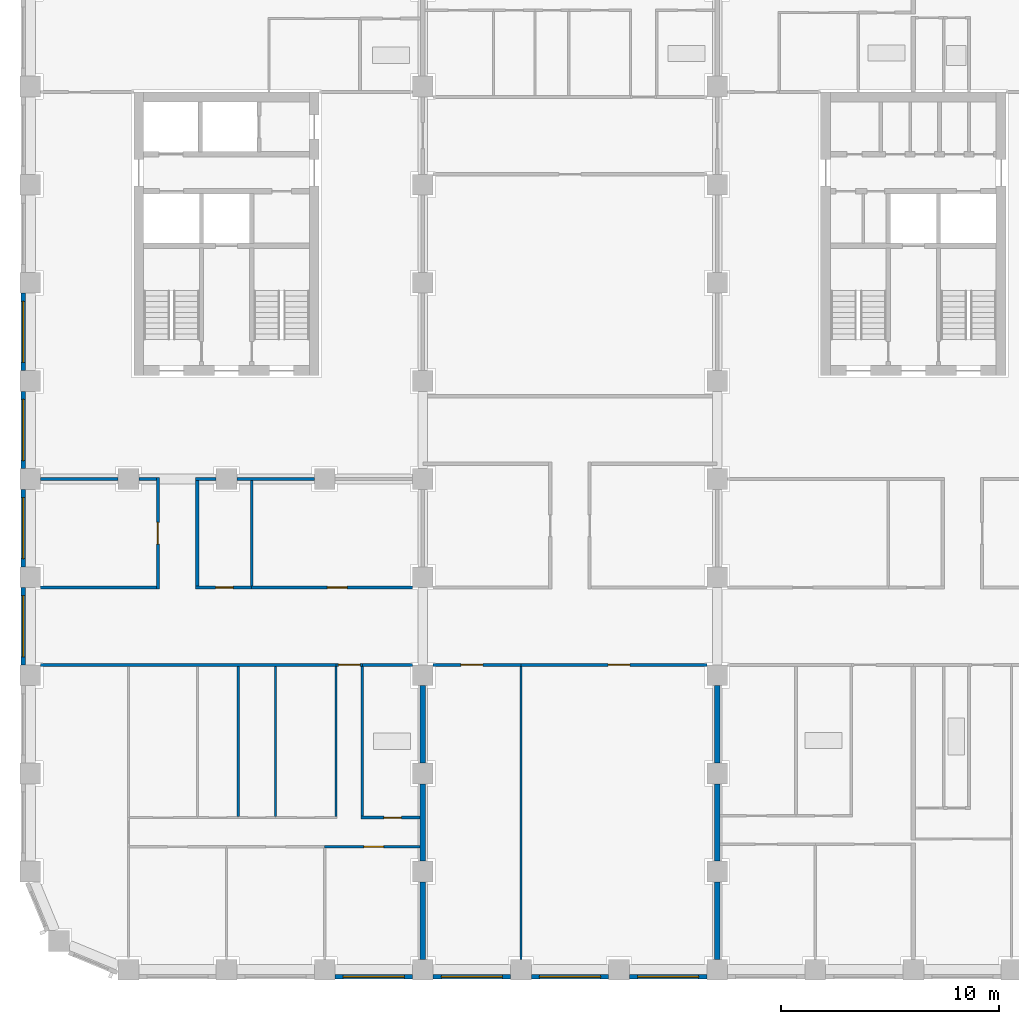
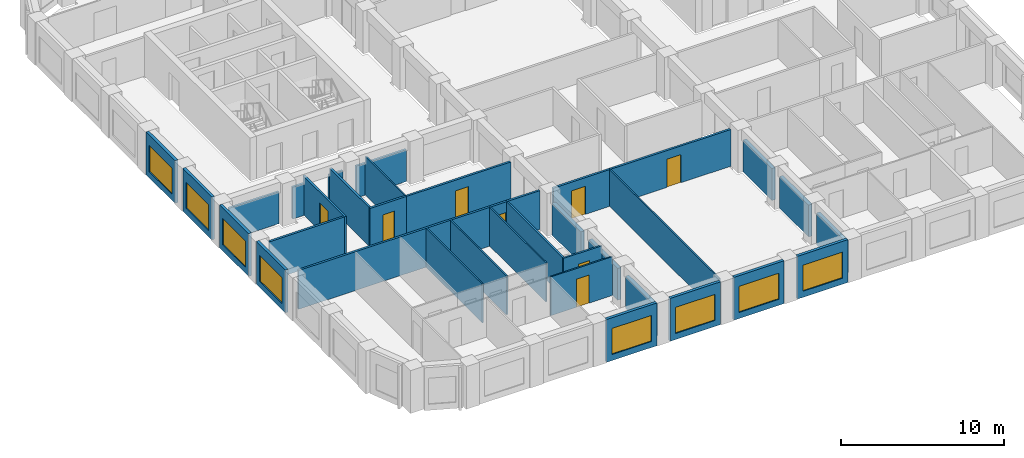
# One storey, part 3 of 13: 36 walls, 8 doors, 8 windows, 16 openings.
"""IFC4 building model written with IfcOpenShell, lengths in metres."""

from ifc_helpers import new_model, si_unit, direction, frame, frame_2d, origin, place, context, subcontext, project, spatial, rectangle, extrude, material, layer, layer_set, type_object, element, fill, save


model = new_model("IFC4")

# Units and contexts
model_context = context("Model", 3, precision=1e-05, world=origin(), true_north=direction((0.0, 1.0)))
body_context = subcontext(model_context, "Body", "Model", "MODEL_VIEW")
ifc_project = project(units=[si_unit("LENGTHUNIT", "METRE"), si_unit("AREAUNIT", "SQUARE_METRE"), si_unit("VOLUMEUNIT", "CUBIC_METRE"), si_unit("PLANEANGLEUNIT", "RADIAN"), si_unit("MASSUNIT", "GRAM", prefix="KILO")], contexts=[model_context])

# Site, building, storey
site_placement = place(None, origin())
site = spatial("IfcSite", under=ifc_project, at=site_placement, CompositionType="ELEMENT")
building_placement = place(site_placement, origin())
building = spatial("IfcBuilding", under=site, at=building_placement, Name="Girih Gate Residences", CompositionType="ELEMENT")
storey_placement = place(building_placement, frame((0.0, 0.0, 130.199951171875)))
storey = spatial("IfcBuildingStorey", under=building, at=storey_placement, Name="L36", CompositionType="ELEMENT", Elevation=130.199951171875)

# Walls
ifc_material_1 = material(Name="Gypsum board on steel studs", Category="steel")
ifc_layer_1 = layer(ifc_material_1, 0.25)
ifc_layer_set_1 = layer_set([ifc_layer_1], Name="Acoustic separating wall 250 mm")
wall_type_1 = type_object("IfcWallType", Name="Acoustic separating wall 250 mm", PredefinedType="PARTITIONING", material=ifc_layer_set_1)
for number, where, z_axis, x_axis, name in (
    (1, (18.0, 9.47509765625, 0.0), (0.0, 0.0, 1.0), (0.0, 1.0, 0.0), "L36 partition"),
    (2, (18.0, 4.97509765625, 0.0), (0.0, 0.0, 1.0), (0.0, 1.0, 0.0), "L36 partition"),
    (3, (18.0, 0.47509765625, 0.0), (0.0, 0.0, 1.0), (0.0, 1.0, 0.0), "L36 partition"),
    (4, (31.5, 9.47509765625, 0.0), (0.0, 0.0, 1.0), (0.0, 1.0, 0.0), "L36 partition"),
    (5, (31.5, 0.47509765625, 0.0), (0.0, 0.0, 1.0), (0.0, 1.0, 0.0), "L36 partition"),
    (6, (31.5, 4.97509765625, 0.0), (0.0, 0.0, 1.0), (0.0, 1.0, 0.0), "L36 partition"),
):
    element("IfcWall", number, at=place(storey_placement, frame(where, z_axis=z_axis, x_axis=x_axis)), inside=storey, type_object=wall_type_1, Name=name, PredefinedType="PARTITIONING", context=body_context, shape_type="SweptSolid", body=[
        extrude(rectangle(XDim=3.5498046875, YDim=0.25, at=frame_2d((1.77490234375, 0.0))), origin(), (0.0, 0.0, 1.0), 2.380126953125),
    ])
ifc_layer_2 = layer(ifc_material_1, 0.14990234375)
ifc_layer_set_2 = layer_set([ifc_layer_2], Name="Compartment wall 150 mm")
wall_type_2 = type_object("IfcWallType", Name="Compartment wall 150 mm", PredefinedType="PARTITIONING", material=ifc_layer_set_2)
wall_1_placement = place(storey_placement, frame((15.22509765625, 13.97509765625, 0.0), z_axis=(0.0, 0.0, 1.0), x_axis=(1.0, 0.0, 0.0)))
element("IfcWall", 7, at=wall_1_placement, inside=storey, type_object=wall_type_2, Name="L36 partition", PredefinedType="PARTITIONING", context=body_context, shape_type="SweptSolid", body=[
    extrude(rectangle(XDim=2.2998046875, YDim=0.14990234375, at=frame_2d((1.14990234375, 0.0))), origin(), (0.0, 0.0, 1.0), 2.900146484375),
])

# Wall, opening, door
wall_2_placement = place(storey_placement, frame((15.22509765625, 13.97509765625, 0.0), z_axis=(0.0, 0.0, 1.0), x_axis=(-1.0, 0.0, 0.0)))
wall_2 = element("IfcWall", 8, at=wall_2_placement, inside=storey, type_object=wall_type_2, Name="L36 partition", PredefinedType="PARTITIONING", context=body_context, shape_type="SweptSolid", body=[
    extrude(rectangle(XDim=1.2001953125, YDim=0.14990234375, at=frame_2d((0.60009765625, 0.0))), origin(), (0.0, 0.0, 1.0), 2.900146484375),
])
opening_1_placement = place(wall_2_placement, frame((0.10009765625, 0.0, 0.0)))
opening_1 = element("IfcOpeningElement", 9, at=opening_1_placement, cuts=wall_2, Name="Opening A36-010", PredefinedType="OPENING", context=body_context, shape_type="SweptSolid", body=[
    extrude(rectangle(XDim=1.0, YDim=2.10009765625, at=frame_2d((0.5, 1.050048828125))), frame((0.0, 0.0849609375, 0.0), z_axis=(0.0, -1.0, 0.0), x_axis=(1.0, 0.0, 0.0)), (0.0, 0.0, 1.0), 0.169921875),
])
ifc_material_2 = material(Name="Timber, fire-rated core", Category="wood")
door_type_1 = type_object("IfcDoorType", Name="Flat entrance door 1000x2100 FD30S", OperationType="NOTDEFINED", PredefinedType="DOOR", material=ifc_material_2)
door_1_placement = place(opening_1_placement, origin())
door_1 = element("IfcDoor", 10, at=door_1_placement, inside=storey, type_object=door_type_1, Name="Door A36-010", OperationType="SINGLE_SWING_RIGHT", OverallHeight=2.10009765625, OverallWidth=1.0, PredefinedType="DOOR", context=body_context, shape_type="SweptSolid", body=[
    extrude(rectangle(XDim=1.0, YDim=2.10009765625, at=frame_2d((0.5, 1.050048828125))), frame((0.0, 0.02490234375, 0.0), z_axis=(0.0, -1.0, 0.0), x_axis=(1.0, 0.0, 0.0)), (0.0, 0.0, 1.0), 0.050048828125),
])
fill(opening_1, door_1)

# Wall
wall_3_placement = place(storey_placement, frame((0.47509765625, 13.97509765625, 0.0), z_axis=(0.0, 0.0, 1.0), x_axis=(1.0, 0.0, 0.0)))
element("IfcWall", 11, at=wall_3_placement, inside=storey, type_object=wall_type_2, Name="L36 partition", PredefinedType="PARTITIONING", context=body_context, shape_type="SweptSolid", body=[
    extrude(rectangle(XDim=13.5498046875, YDim=0.14990234375, at=frame_2d((6.77490234375, 0.0))), origin(), (0.0, 0.0, 1.0), 2.900146484375),
])

# Wall, opening, door
wall_4_placement = place(storey_placement, frame((22.5, 13.97509765625, 0.0), z_axis=(0.0, 0.0, 1.0), x_axis=(-1.0, 0.0, 0.0)))
wall_4 = element("IfcWall", 12, at=wall_4_placement, inside=storey, type_object=wall_type_2, Name="L36 partition", PredefinedType="PARTITIONING", context=body_context, shape_type="SweptSolid", body=[
    extrude(rectangle(XDim=4.02490234375, YDim=0.14990234375, at=frame_2d((2.012451171875, 0.0))), origin(), (0.0, 0.0, 1.0), 2.75),
])
opening_2_placement = place(wall_4_placement, frame((1.75, 0.0, 0.0)))
opening_2 = element("IfcOpeningElement", 13, at=opening_2_placement, cuts=wall_4, Name="Opening A36-049", PredefinedType="OPENING", context=body_context, shape_type="SweptSolid", body=[
    extrude(rectangle(XDim=1.0, YDim=2.10009765625, at=frame_2d((0.5, 1.050048828125))), frame((0.0, 0.0849609375, 0.0), z_axis=(0.0, -1.0, 0.0), x_axis=(1.0, 0.0, 0.0)), (0.0, 0.0, 1.0), 0.169921875),
])
door_type_2 = type_object("IfcDoorType", Name="Amenity room door 1000x2100 FD30S", OperationType="NOTDEFINED", PredefinedType="DOOR", material=ifc_material_2)
door_2_placement = place(opening_2_placement, origin())
door_2 = element("IfcDoor", 14, at=door_2_placement, inside=storey, type_object=door_type_2, Name="Door A36-049", OperationType="SINGLE_SWING_RIGHT", OverallHeight=2.10009765625, OverallWidth=1.0, PredefinedType="DOOR", context=body_context, shape_type="SweptSolid", body=[
    extrude(rectangle(XDim=1.0, YDim=2.10009765625, at=frame_2d((0.5, 1.050048828125))), frame((0.0, 0.02490234375, 0.0), z_axis=(0.0, -1.0, 0.0), x_axis=(1.0, 0.0, 0.0)), (0.0, 0.0, 1.0), 0.050048828125),
])
fill(opening_2, door_2)

wall_5_placement = place(storey_placement, frame((31.02490234375, 13.97509765625, 0.0), z_axis=(0.0, 0.0, 1.0), x_axis=(-1.0, 0.0, 0.0)))
wall_5 = element("IfcWall", 15, at=wall_5_placement, inside=storey, type_object=wall_type_2, Name="L36 partition", PredefinedType="PARTITIONING", context=body_context, shape_type="SweptSolid", body=[
    extrude(rectangle(XDim=8.52490234375, YDim=0.14990234375, at=frame_2d((4.262451171875, 0.0))), origin(), (0.0, 0.0, 1.0), 2.75),
])
opening_3_placement = place(wall_5_placement, frame((3.52490234375, 0.0, 0.0)))
opening_3 = element("IfcOpeningElement", 16, at=opening_3_placement, cuts=wall_5, Name="Opening A36-050", PredefinedType="OPENING", context=body_context, shape_type="SweptSolid", body=[
    extrude(rectangle(XDim=1.0, YDim=2.10009765625, at=frame_2d((0.5, 1.050048828125))), frame((0.0, 0.0849609375, 0.0), z_axis=(0.0, -1.0, 0.0), x_axis=(1.0, 0.0, 0.0)), (0.0, 0.0, 1.0), 0.169921875),
])
door_3_placement = place(opening_3_placement, origin())
door_3 = element("IfcDoor", 17, at=door_3_placement, inside=storey, type_object=door_type_2, Name="Door A36-050", OperationType="SINGLE_SWING_LEFT", OverallHeight=2.10009765625, OverallWidth=1.0, PredefinedType="DOOR", context=body_context, shape_type="SweptSolid", body=[
    extrude(rectangle(XDim=1.0, YDim=2.10009765625, at=frame_2d((0.5, 1.050048828125))), frame((0.0, 0.02490234375, 0.0), z_axis=(0.0, -1.0, 0.0), x_axis=(1.0, 0.0, 0.0)), (0.0, 0.0, 1.0), 0.050048828125),
])
fill(opening_3, door_3)

wall_6_placement = place(storey_placement, frame((10.14990234375, 17.52490234375, 0.0), z_axis=(0.0, 0.0, 1.0), x_axis=(1.0, 0.0, 0.0)))
wall_6 = element("IfcWall", 18, at=wall_6_placement, inside=storey, type_object=wall_type_2, Name="L36 partition", PredefinedType="PARTITIONING", context=body_context, shape_type="SweptSolid", body=[
    extrude(rectangle(XDim=7.375, YDim=0.14990234375, at=frame_2d((3.6875, 0.0))), origin(), (0.0, 0.0, 1.0), 2.900146484375),
])
opening_4_placement = place(wall_6_placement, frame((3.47509765625, 0.0, 0.0)))
opening_4 = element("IfcOpeningElement", 19, at=opening_4_placement, cuts=wall_6, Name="Opening A36-054", PredefinedType="OPENING", context=body_context, shape_type="SweptSolid", body=[
    extrude(rectangle(XDim=0.89990234375, YDim=2.10009765625, at=frame_2d((0.449951171875, 1.050048828125))), frame((0.0, 0.0849609375, 0.0), z_axis=(0.0, -1.0, 0.0), x_axis=(1.0, 0.0, 0.0)), (0.0, 0.0, 1.0), 0.169921875),
])
ifc_material_3 = material(Name="Timber", Category="wood")
door_type_3 = type_object("IfcDoorType", Name="Service room door 900x2100", OperationType="NOTDEFINED", PredefinedType="DOOR", material=ifc_material_3)
door_4_placement = place(opening_4_placement, origin())
door_4 = element("IfcDoor", 20, at=door_4_placement, inside=storey, type_object=door_type_3, Name="Door A36-054", OperationType="SINGLE_SWING_RIGHT", OverallHeight=2.10009765625, OverallWidth=0.89990234375, PredefinedType="DOOR", context=body_context, shape_type="SweptSolid", body=[
    extrude(rectangle(XDim=0.89990234375, YDim=2.10009765625, at=frame_2d((0.449951171875, 1.050048828125))), frame((0.0, 0.02490234375, 0.0), z_axis=(0.0, -1.0, 0.0), x_axis=(1.0, 0.0, 0.0)), (0.0, 0.0, 1.0), 0.050048828125),
])
fill(opening_4, door_4)

wall_7_placement = place(storey_placement, frame((7.574951171875, 17.52490234375, 0.0), z_axis=(0.0, 0.0, 1.0), x_axis=(1.0, 0.0, 0.0)))
wall_7 = element("IfcWall", 21, at=wall_7_placement, inside=storey, type_object=wall_type_2, Name="L36 partition", PredefinedType="PARTITIONING", context=body_context, shape_type="SweptSolid", body=[
    extrude(rectangle(XDim=2.574951171875, YDim=0.14990234375, at=frame_2d((1.28759765625, 0.0))), origin(), (0.0, 0.0, 1.0), 2.900146484375),
])
opening_5_placement = place(wall_7_placement, frame((0.925048828125, 0.0, 0.0)))
opening_5 = element("IfcOpeningElement", 22, at=opening_5_placement, cuts=wall_7, Name="Opening A36-056", PredefinedType="OPENING", context=body_context, shape_type="SweptSolid", body=[
    extrude(rectangle(XDim=0.800048828125, YDim=2.10009765625, at=frame_2d((0.39990234375, 1.050048828125))), frame((0.0, 0.0849609375, 0.0), z_axis=(0.0, -1.0, 0.0), x_axis=(1.0, 0.0, 0.0)), (0.0, 0.0, 1.0), 0.169921875),
])
door_type_4 = type_object("IfcDoorType", Name="Bathroom door 800x2100", OperationType="NOTDEFINED", PredefinedType="DOOR", material=ifc_material_3)
door_5_placement = place(opening_5_placement, origin())
door_5 = element("IfcDoor", 23, at=door_5_placement, inside=storey, type_object=door_type_4, Name="Door A36-056", OperationType="SINGLE_SWING_RIGHT", OverallHeight=2.10009765625, OverallWidth=0.800048828125, PredefinedType="DOOR", context=body_context, shape_type="SweptSolid", body=[
    extrude(rectangle(XDim=0.800048828125, YDim=2.10009765625, at=frame_2d((0.39990234375, 1.050048828125))), frame((0.0, 0.02490234375, 0.0), z_axis=(0.0, -1.0, 0.0), x_axis=(1.0, 0.0, 0.0)), (0.0, 0.0, 1.0), 0.050048828125),
])
fill(opening_5, door_5)

# Walls
wall_8_placement = place(storey_placement, frame((0.47509765625, 17.52490234375, 0.0), z_axis=(0.0, 0.0, 1.0), x_axis=(1.0, 0.0, 0.0)))
element("IfcWall", 24, at=wall_8_placement, inside=storey, type_object=wall_type_2, Name="L36 partition", PredefinedType="PARTITIONING", context=body_context, shape_type="SweptSolid", body=[
    extrude(rectangle(XDim=5.2998046875, YDim=0.14990234375, at=frame_2d((2.64990234375, 0.0))), origin(), (0.0, 0.0, 1.0), 2.900146484375),
])
wall_9_placement = place(storey_placement, frame((9.47509765625, 22.5, 0.0), z_axis=(0.0, 0.0, 1.0), x_axis=(1.0, 0.0, 0.0)))
element("IfcWall", 25, at=wall_9_placement, inside=storey, type_object=wall_type_2, Name="L36 partition", PredefinedType="PARTITIONING", context=body_context, shape_type="SweptSolid", body=[
    extrude(rectangle(XDim=3.5498046875, YDim=0.14990234375, at=frame_2d((1.77490234375, 0.0))), origin(), (0.0, 0.0, 1.0), 2.380126953125),
])
wall_10_placement = place(storey_placement, frame((7.574951171875, 22.5, 0.0), z_axis=(0.0, 0.0, 1.0), x_axis=(1.0, 0.0, 0.0)))
element("IfcWall", 26, at=wall_10_placement, inside=storey, type_object=wall_type_2, Name="L36 partition", PredefinedType="PARTITIONING", context=body_context, shape_type="SweptSolid", body=[
    extrude(rectangle(XDim=0.949951171875, YDim=0.14990234375, at=frame_2d((0.47509765625, 0.0))), origin(), (0.0, 0.0, 1.0), 2.380126953125),
])
wall_11_placement = place(storey_placement, frame((4.97509765625, 22.5, 0.0), z_axis=(0.0, 0.0, 1.0), x_axis=(1.0, 0.0, 0.0)))
element("IfcWall", 27, at=wall_11_placement, inside=storey, type_object=wall_type_2, Name="L36 partition", PredefinedType="PARTITIONING", context=body_context, shape_type="SweptSolid", body=[
    extrude(rectangle(XDim=0.7998046875, YDim=0.14990234375, at=frame_2d((0.39990234375, 0.0))), origin(), (0.0, 0.0, 1.0), 2.380126953125),
])
wall_12_placement = place(storey_placement, frame((0.47509765625, 22.5, 0.0), z_axis=(0.0, 0.0, 1.0), x_axis=(1.0, 0.0, 0.0)))
element("IfcWall", 28, at=wall_12_placement, inside=storey, type_object=wall_type_2, Name="L36 partition", PredefinedType="PARTITIONING", context=body_context, shape_type="SweptSolid", body=[
    extrude(rectangle(XDim=3.5498046875, YDim=0.14990234375, at=frame_2d((1.77490234375, 0.0))), origin(), (0.0, 0.0, 1.0), 2.380126953125),
])
wall_13_placement = place(storey_placement, frame((7.64990234375, 17.60009765625, 0.0), z_axis=(0.0, 0.0, 1.0), x_axis=(0.0, 1.0, 0.0)))
element("IfcWall", 29, at=wall_13_placement, inside=storey, type_object=wall_type_2, Name="L36 partition", PredefinedType="PARTITIONING", context=body_context, shape_type="SweptSolid", body=[
    extrude(rectangle(XDim=4.824951171875, YDim=0.14990234375, at=frame_2d((2.41259765625, 0.0))), origin(), (0.0, 0.0, 1.0), 2.900146484375),
])

# Wall, opening, door
wall_14_placement = place(storey_placement, frame((5.85009765625, 17.449951171875, 0.0), z_axis=(0.0, 0.0, 1.0), x_axis=(0.0, 1.0, 0.0)))
wall_14 = element("IfcWall", 30, at=wall_14_placement, inside=storey, type_object=wall_type_2, Name="L36 partition", PredefinedType="PARTITIONING", context=body_context, shape_type="SweptSolid", body=[
    extrude(rectangle(XDim=5.125, YDim=0.14990234375, at=frame_2d((2.5625, 0.0))), origin(), (0.0, 0.0, 1.0), 2.900146484375),
])
opening_6_placement = place(wall_14_placement, frame((2.0625, 0.0, 0.0)))
opening_6 = element("IfcOpeningElement", 31, at=opening_6_placement, cuts=wall_14, Name="Opening A36-058", PredefinedType="OPENING", context=body_context, shape_type="SweptSolid", body=[
    extrude(rectangle(XDim=1.0, YDim=2.10009765625, at=frame_2d((0.5, 1.050048828125))), frame((0.0, 0.0849609375, 0.0), z_axis=(0.0, -1.0, 0.0), x_axis=(1.0, 0.0, 0.0)), (0.0, 0.0, 1.0), 0.169921875),
])
door_6_placement = place(opening_6_placement, origin())
door_6 = element("IfcDoor", 32, at=door_6_placement, inside=storey, type_object=door_type_2, Name="Door A36-058", OperationType="SINGLE_SWING_RIGHT", OverallHeight=2.10009765625, OverallWidth=1.0, PredefinedType="DOOR", context=body_context, shape_type="SweptSolid", body=[
    extrude(rectangle(XDim=1.0, YDim=2.10009765625, at=frame_2d((0.5, 1.050048828125))), frame((0.0, 0.02490234375, 0.0), z_axis=(0.0, -1.0, 0.0), x_axis=(1.0, 0.0, 0.0)), (0.0, 0.0, 1.0), 0.050048828125),
])
fill(opening_6, door_6)

ifc_layer_3 = layer(ifc_material_1, 0.10009765625)
ifc_layer_set_3 = layer_set([ifc_layer_3], Name="Partition 100 mm")
wall_type_3 = type_object("IfcWallType", Name="Partition 100 mm", PredefinedType="PARTITIONING", material=ifc_layer_set_3)
wall_15_placement = place(storey_placement, frame((17.875, 5.635009765625, 0.0), z_axis=(0.0, 0.0, 1.0), x_axis=(-1.0, 0.0, 0.0)))
wall_15 = element("IfcWall", 33, at=wall_15_placement, inside=storey, type_object=wall_type_3, Name="L36 partition", PredefinedType="PARTITIONING", context=body_context, shape_type="SweptSolid", body=[
    extrude(rectangle(XDim=4.375, YDim=0.10009765625, at=frame_2d((2.1875, 0.0))), origin(), (0.0, 0.0, 1.0), 2.900146484375),
])
opening_7_placement = place(wall_15_placement, frame((1.675048828125, 0.0, 0.0)))
opening_7 = element("IfcOpeningElement", 34, at=opening_7_placement, cuts=wall_15, Name="Opening A36-004", PredefinedType="OPENING", context=body_context, shape_type="SweptSolid", body=[
    extrude(rectangle(XDim=0.89990234375, YDim=2.10009765625, at=frame_2d((0.449951171875, 1.050048828125))), frame((0.0, 0.06005859375, 0.0), z_axis=(0.0, -1.0, 0.0), x_axis=(1.0, 0.0, 0.0)), (0.0, 0.0, 1.0), 0.1201171875),
])
door_type_5 = type_object("IfcDoorType", Name="Bedroom door 900x2100", OperationType="NOTDEFINED", PredefinedType="DOOR", material=ifc_material_3)
door_7_placement = place(opening_7_placement, origin())
door_7 = element("IfcDoor", 35, at=door_7_placement, inside=storey, type_object=door_type_5, Name="Door A36-004", OperationType="SINGLE_SWING_LEFT", OverallHeight=2.10009765625, OverallWidth=0.89990234375, PredefinedType="DOOR", context=body_context, shape_type="SweptSolid", body=[
    extrude(rectangle(XDim=0.89990234375, YDim=2.10009765625, at=frame_2d((0.449951171875, 1.050048828125))), frame((0.0, 0.02490234375, 0.0), z_axis=(0.0, -1.0, 0.0), x_axis=(1.0, 0.0, 0.0)), (0.0, 0.0, 1.0), 0.050048828125),
])
fill(opening_7, door_7)

# Walls
for number, where, z_axis, x_axis, name in (
    (36, (14.02490234375, 7.02490234375, 0.0), (0.0, 0.0, 1.0), (0.0, 1.0, 0.0), "L36 partition"),
    (37, (11.24609375, 7.02490234375, 0.0), (0.0, 0.0, 1.0), (0.0, 1.0, 0.0), "L36 partition"),
    (38, (9.531982421875, 7.02490234375, 0.0), (0.0, 0.0, 1.0), (0.0, 1.0, 0.0), "L36 partition"),
):
    element("IfcWall", number, at=place(storey_placement, frame(where, z_axis=z_axis, x_axis=x_axis)), inside=storey, type_object=wall_type_3, Name=name, PredefinedType="PARTITIONING", context=body_context, shape_type="SweptSolid", body=[
        extrude(rectangle(XDim=6.875, YDim=0.10009765625, at=frame_2d((3.4375, 0.0))), origin(), (0.0, 0.0, 1.0), 2.900146484375),
    ])
wall_16_placement = place(storey_placement, frame((22.5, 0.47509765625, 0.0), z_axis=(0.0, 0.0, 1.0), x_axis=(0.0, 1.0, 0.0)))
element("IfcWall", 39, at=wall_16_placement, inside=storey, type_object=wall_type_3, Name="L36 partition", PredefinedType="PARTITIONING", context=body_context, shape_type="SweptSolid", body=[
    extrude(rectangle(XDim=13.4248046875, YDim=0.10009765625, at=frame_2d((6.71240234375, 0.0))), origin(), (0.0, 0.0, 1.0), 2.75),
])
wall_17_placement = place(storey_placement, frame((10.14990234375, 17.60009765625, 0.0), z_axis=(0.0, 0.0, 1.0), x_axis=(0.0, 1.0, 0.0)))
element("IfcWall", 40, at=wall_17_placement, inside=storey, type_object=wall_type_3, Name="L36 partition", PredefinedType="PARTITIONING", context=body_context, shape_type="SweptSolid", body=[
    extrude(rectangle(XDim=4.824951171875, YDim=0.10009765625, at=frame_2d((2.41259765625, 0.0))), origin(), (0.0, 0.0, 1.0), 2.900146484375),
])

# Wall, opening, window
ifc_material_4 = material(Name="Precast concrete C50/60", Category="concrete")
ifc_layer_4 = layer(ifc_material_4, 0.06005859375, Name="Outer leaf")
ifc_material_5 = material(Name="Rigid PIR insulation")
ifc_layer_5 = layer(ifc_material_5, 0.090087890625, Name="Insulation")
ifc_material_6 = material(Name="Precast concrete C40/50", Category="concrete")
ifc_layer_6 = layer(ifc_material_6, 0.050048828125, Name="Inner leaf")
ifc_layer_set_4 = layer_set([ifc_layer_4, ifc_layer_5, ifc_layer_6], Name="Precast concrete C50/60 external wall 200")
wall_type_4 = type_object("IfcWallType", Name="Precast concrete C50/60 external wall 200", PredefinedType="SOLIDWALL", material=ifc_layer_set_4)
wall_18_placement = place(storey_placement, frame((17.52490234375, -0.324951171875, 0.0), z_axis=(0.0, 0.0, 1.0), x_axis=(-1.0, 0.0, 0.0)))
wall_18 = element("IfcWall", 41, at=wall_18_placement, inside=storey, type_object=wall_type_4, Name="External wall S0045_0000.2", PredefinedType="SOLIDWALL", context=body_context, shape_type="SweptSolid", body=[
    extrude(rectangle(XDim=3.5498046875, YDim=0.199951171875, at=frame_2d((1.77490234375, 0.0))), origin(), (0.0, 0.0, 1.0), 3.199951171875),
])
opening_8_placement = place(wall_18_placement, frame((0.375, 0.0, 0.449951171875)))
opening_8 = element("IfcOpeningElement", 42, at=opening_8_placement, cuts=wall_18, Name="Opening W-1B", PredefinedType="OPENING", context=body_context, shape_type="SweptSolid", body=[
    extrude(rectangle(XDim=2.800048828125, YDim=1.949951171875, at=frame_2d((1.39990234375, 0.97509765625))), frame((0.0, 0.10986328125, 0.0), z_axis=(0.0, -1.0, 0.0), x_axis=(1.0, 0.0, 0.0)), (0.0, 0.0, 1.0), 0.219970703125),
])
ifc_material_7 = material(Name="Double glazing in aluminium frame", Category="aluminium")
window_type = type_object("IfcWindowType", Name="Window W-1B 2800x1950", PartitioningType="SINGLE_PANEL", PredefinedType="WINDOW", material=ifc_material_7)
window_1_placement = place(opening_8_placement, origin())
window_1 = element("IfcWindow", 43, at=window_1_placement, inside=storey, type_object=window_type, Name="Window W-1B S0045_0000.2", OverallHeight=1.949951171875, OverallWidth=2.800048828125, PartitioningType="SINGLE_PANEL", PredefinedType="WINDOW", context=body_context, shape_type="SweptSolid", body=[
    extrude(rectangle(XDim=2.800048828125, YDim=1.949951171875, at=frame_2d((1.39990234375, 0.97509765625))), frame((0.0, 0.030029296875, 0.0), z_axis=(0.0, -1.0, 0.0), x_axis=(1.0, 0.0, 0.0)), (0.0, 0.0, 1.0), 0.06005859375),
])
fill(opening_8, window_1)

wall_19_placement = place(storey_placement, frame((22.02490234375, -0.324951171875, 0.0), z_axis=(0.0, 0.0, 1.0), x_axis=(-1.0, 0.0, 0.0)))
wall_19 = element("IfcWall", 44, at=wall_19_placement, inside=storey, type_object=wall_type_4, Name="External wall S0045_0000.3", PredefinedType="SOLIDWALL", context=body_context, shape_type="SweptSolid", body=[
    extrude(rectangle(XDim=3.5498046875, YDim=0.199951171875, at=frame_2d((1.77490234375, 0.0))), origin(), (0.0, 0.0, 1.0), 3.199951171875),
])
opening_9_placement = place(wall_19_placement, frame((0.375, 0.0, 0.449951171875)))
opening_9 = element("IfcOpeningElement", 45, at=opening_9_placement, cuts=wall_19, Name="Opening W-1B", PredefinedType="OPENING", context=body_context, shape_type="SweptSolid", body=[
    extrude(rectangle(XDim=2.800048828125, YDim=1.949951171875, at=frame_2d((1.39990234375, 0.97509765625))), frame((0.0, 0.10986328125, 0.0), z_axis=(0.0, -1.0, 0.0), x_axis=(1.0, 0.0, 0.0)), (0.0, 0.0, 1.0), 0.219970703125),
])
window_2_placement = place(opening_9_placement, origin())
window_2 = element("IfcWindow", 46, at=window_2_placement, inside=storey, type_object=window_type, Name="Window W-1B S0045_0000.3", OverallHeight=1.949951171875, OverallWidth=2.800048828125, PartitioningType="SINGLE_PANEL", PredefinedType="WINDOW", context=body_context, shape_type="SweptSolid", body=[
    extrude(rectangle(XDim=2.800048828125, YDim=1.949951171875, at=frame_2d((1.39990234375, 0.97509765625))), frame((0.0, 0.030029296875, 0.0), z_axis=(0.0, -1.0, 0.0), x_axis=(1.0, 0.0, 0.0)), (0.0, 0.0, 1.0), 0.06005859375),
])
fill(opening_9, window_2)

wall_20_placement = place(storey_placement, frame((26.52490234375, -0.324951171875, 0.0), z_axis=(0.0, 0.0, 1.0), x_axis=(-1.0, 0.0, 0.0)))
wall_20 = element("IfcWall", 47, at=wall_20_placement, inside=storey, type_object=wall_type_4, Name="External wall S0045_0000.4", PredefinedType="SOLIDWALL", context=body_context, shape_type="SweptSolid", body=[
    extrude(rectangle(XDim=3.5498046875, YDim=0.199951171875, at=frame_2d((1.77490234375, 0.0))), origin(), (0.0, 0.0, 1.0), 3.199951171875),
])
opening_10_placement = place(wall_20_placement, frame((0.375, 0.0, 0.449951171875)))
opening_10 = element("IfcOpeningElement", 48, at=opening_10_placement, cuts=wall_20, Name="Opening W-1B", PredefinedType="OPENING", context=body_context, shape_type="SweptSolid", body=[
    extrude(rectangle(XDim=2.800048828125, YDim=1.949951171875, at=frame_2d((1.39990234375, 0.97509765625))), frame((0.0, 0.10986328125, 0.0), z_axis=(0.0, -1.0, 0.0), x_axis=(1.0, 0.0, 0.0)), (0.0, 0.0, 1.0), 0.219970703125),
])
window_3_placement = place(opening_10_placement, origin())
window_3 = element("IfcWindow", 49, at=window_3_placement, inside=storey, type_object=window_type, Name="Window W-1B S0045_0000.4", OverallHeight=1.949951171875, OverallWidth=2.800048828125, PartitioningType="SINGLE_PANEL", PredefinedType="WINDOW", context=body_context, shape_type="SweptSolid", body=[
    extrude(rectangle(XDim=2.800048828125, YDim=1.949951171875, at=frame_2d((1.39990234375, 0.97509765625))), frame((0.0, 0.030029296875, 0.0), z_axis=(0.0, -1.0, 0.0), x_axis=(1.0, 0.0, 0.0)), (0.0, 0.0, 1.0), 0.06005859375),
])
fill(opening_10, window_3)

wall_21_placement = place(storey_placement, frame((31.02490234375, -0.324951171875, 0.0), z_axis=(0.0, 0.0, 1.0), x_axis=(-1.0, 0.0, 0.0)))
wall_21 = element("IfcWall", 50, at=wall_21_placement, inside=storey, type_object=wall_type_4, Name="External wall S0045_0000.5", PredefinedType="SOLIDWALL", context=body_context, shape_type="SweptSolid", body=[
    extrude(rectangle(XDim=3.5498046875, YDim=0.199951171875, at=frame_2d((1.77490234375, 0.0))), origin(), (0.0, 0.0, 1.0), 3.199951171875),
])
opening_11_placement = place(wall_21_placement, frame((0.375, 0.0, 0.449951171875)))
opening_11 = element("IfcOpeningElement", 51, at=opening_11_placement, cuts=wall_21, Name="Opening W-1B", PredefinedType="OPENING", context=body_context, shape_type="SweptSolid", body=[
    extrude(rectangle(XDim=2.800048828125, YDim=1.949951171875, at=frame_2d((1.39990234375, 0.97509765625))), frame((0.0, 0.10986328125, 0.0), z_axis=(0.0, -1.0, 0.0), x_axis=(1.0, 0.0, 0.0)), (0.0, 0.0, 1.0), 0.219970703125),
])
window_4_placement = place(opening_11_placement, origin())
window_4 = element("IfcWindow", 52, at=window_4_placement, inside=storey, type_object=window_type, Name="Window W-1B S0045_0000.5", OverallHeight=1.949951171875, OverallWidth=2.800048828125, PartitioningType="SINGLE_PANEL", PredefinedType="WINDOW", context=body_context, shape_type="SweptSolid", body=[
    extrude(rectangle(XDim=2.800048828125, YDim=1.949951171875, at=frame_2d((1.39990234375, 0.97509765625))), frame((0.0, 0.030029296875, 0.0), z_axis=(0.0, -1.0, 0.0), x_axis=(1.0, 0.0, 0.0)), (0.0, 0.0, 1.0), 0.06005859375),
])
fill(opening_11, window_4)

wall_22_placement = place(storey_placement, frame((-0.324951171875, 27.47509765625, 0.0), z_axis=(0.0, 0.0, 1.0), x_axis=(0.0, 1.0, 0.0)))
wall_22 = element("IfcWall", 53, at=wall_22_placement, inside=storey, type_object=wall_type_4, Name="External wall W0000_0450.3", PredefinedType="SOLIDWALL", context=body_context, shape_type="SweptSolid", body=[
    extrude(rectangle(XDim=3.5498046875, YDim=0.199951171875, at=frame_2d((1.77490234375, 0.0))), origin(), (0.0, 0.0, 1.0), 3.199951171875),
])
opening_12_placement = place(wall_22_placement, frame((0.375, 0.0, 0.449951171875)))
opening_12 = element("IfcOpeningElement", 54, at=opening_12_placement, cuts=wall_22, Name="Opening W-1B", PredefinedType="OPENING", context=body_context, shape_type="SweptSolid", body=[
    extrude(rectangle(XDim=2.800048828125, YDim=1.949951171875, at=frame_2d((1.39990234375, 0.97509765625))), frame((0.0, 0.10986328125, 0.0), z_axis=(0.0, -1.0, 0.0), x_axis=(1.0, 0.0, 0.0)), (0.0, 0.0, 1.0), 0.219970703125),
])
window_5_placement = place(opening_12_placement, origin())
window_5 = element("IfcWindow", 55, at=window_5_placement, inside=storey, type_object=window_type, Name="Window W-1B W0000_0450.3", OverallHeight=1.949951171875, OverallWidth=2.800048828125, PartitioningType="SINGLE_PANEL", PredefinedType="WINDOW", context=body_context, shape_type="SweptSolid", body=[
    extrude(rectangle(XDim=2.800048828125, YDim=1.949951171875, at=frame_2d((1.39990234375, 0.97509765625))), frame((0.0, 0.030029296875, 0.0), z_axis=(0.0, -1.0, 0.0), x_axis=(1.0, 0.0, 0.0)), (0.0, 0.0, 1.0), 0.06005859375),
])
fill(opening_12, window_5)

wall_23_placement = place(storey_placement, frame((-0.324951171875, 22.97509765625, 0.0), z_axis=(0.0, 0.0, 1.0), x_axis=(0.0, 1.0, 0.0)))
wall_23 = element("IfcWall", 56, at=wall_23_placement, inside=storey, type_object=wall_type_4, Name="External wall W0000_0450.4", PredefinedType="SOLIDWALL", context=body_context, shape_type="SweptSolid", body=[
    extrude(rectangle(XDim=3.5498046875, YDim=0.199951171875, at=frame_2d((1.77490234375, 0.0))), origin(), (0.0, 0.0, 1.0), 3.199951171875),
])
opening_13_placement = place(wall_23_placement, frame((0.375, 0.0, 0.449951171875)))
opening_13 = element("IfcOpeningElement", 57, at=opening_13_placement, cuts=wall_23, Name="Opening W-1B", PredefinedType="OPENING", context=body_context, shape_type="SweptSolid", body=[
    extrude(rectangle(XDim=2.800048828125, YDim=1.949951171875, at=frame_2d((1.39990234375, 0.97509765625))), frame((0.0, 0.10986328125, 0.0), z_axis=(0.0, -1.0, 0.0), x_axis=(1.0, 0.0, 0.0)), (0.0, 0.0, 1.0), 0.219970703125),
])
window_6_placement = place(opening_13_placement, origin())
window_6 = element("IfcWindow", 58, at=window_6_placement, inside=storey, type_object=window_type, Name="Window W-1B W0000_0450.4", OverallHeight=1.949951171875, OverallWidth=2.800048828125, PartitioningType="SINGLE_PANEL", PredefinedType="WINDOW", context=body_context, shape_type="SweptSolid", body=[
    extrude(rectangle(XDim=2.800048828125, YDim=1.949951171875, at=frame_2d((1.39990234375, 0.97509765625))), frame((0.0, 0.030029296875, 0.0), z_axis=(0.0, -1.0, 0.0), x_axis=(1.0, 0.0, 0.0)), (0.0, 0.0, 1.0), 0.06005859375),
])
fill(opening_13, window_6)

wall_24_placement = place(storey_placement, frame((-0.324951171875, 18.47509765625, 0.0), z_axis=(0.0, 0.0, 1.0), x_axis=(0.0, 1.0, 0.0)))
wall_24 = element("IfcWall", 59, at=wall_24_placement, inside=storey, type_object=wall_type_4, Name="External wall W0000_0450.5", PredefinedType="SOLIDWALL", context=body_context, shape_type="SweptSolid", body=[
    extrude(rectangle(XDim=3.5498046875, YDim=0.199951171875, at=frame_2d((1.77490234375, 0.0))), origin(), (0.0, 0.0, 1.0), 3.199951171875),
])
opening_14_placement = place(wall_24_placement, frame((0.375, 0.0, 0.449951171875)))
opening_14 = element("IfcOpeningElement", 60, at=opening_14_placement, cuts=wall_24, Name="Opening W-1B", PredefinedType="OPENING", context=body_context, shape_type="SweptSolid", body=[
    extrude(rectangle(XDim=2.800048828125, YDim=1.949951171875, at=frame_2d((1.39990234375, 0.97509765625))), frame((0.0, 0.10986328125, 0.0), z_axis=(0.0, -1.0, 0.0), x_axis=(1.0, 0.0, 0.0)), (0.0, 0.0, 1.0), 0.219970703125),
])
window_7_placement = place(opening_14_placement, origin())
window_7 = element("IfcWindow", 61, at=window_7_placement, inside=storey, type_object=window_type, Name="Window W-1B W0000_0450.5", OverallHeight=1.949951171875, OverallWidth=2.800048828125, PartitioningType="SINGLE_PANEL", PredefinedType="WINDOW", context=body_context, shape_type="SweptSolid", body=[
    extrude(rectangle(XDim=2.800048828125, YDim=1.949951171875, at=frame_2d((1.39990234375, 0.97509765625))), frame((0.0, 0.030029296875, 0.0), z_axis=(0.0, -1.0, 0.0), x_axis=(1.0, 0.0, 0.0)), (0.0, 0.0, 1.0), 0.06005859375),
])
fill(opening_14, window_7)

wall_25_placement = place(storey_placement, frame((-0.324951171875, 13.97509765625, 0.0), z_axis=(0.0, 0.0, 1.0), x_axis=(0.0, 1.0, 0.0)))
wall_25 = element("IfcWall", 62, at=wall_25_placement, inside=storey, type_object=wall_type_4, Name="External wall W0000_0450.6", PredefinedType="SOLIDWALL", context=body_context, shape_type="SweptSolid", body=[
    extrude(rectangle(XDim=3.5498046875, YDim=0.199951171875, at=frame_2d((1.77490234375, 0.0))), origin(), (0.0, 0.0, 1.0), 3.199951171875),
])
opening_15_placement = place(wall_25_placement, frame((0.375, 0.0, 0.449951171875)))
opening_15 = element("IfcOpeningElement", 63, at=opening_15_placement, cuts=wall_25, Name="Opening W-1B", PredefinedType="OPENING", context=body_context, shape_type="SweptSolid", body=[
    extrude(rectangle(XDim=2.800048828125, YDim=1.949951171875, at=frame_2d((1.39990234375, 0.97509765625))), frame((0.0, 0.10986328125, 0.0), z_axis=(0.0, -1.0, 0.0), x_axis=(1.0, 0.0, 0.0)), (0.0, 0.0, 1.0), 0.219970703125),
])
window_8_placement = place(opening_15_placement, origin())
window_8 = element("IfcWindow", 64, at=window_8_placement, inside=storey, type_object=window_type, Name="Window W-1B W0000_0450.6", OverallHeight=1.949951171875, OverallWidth=2.800048828125, PartitioningType="SINGLE_PANEL", PredefinedType="WINDOW", context=body_context, shape_type="SweptSolid", body=[
    extrude(rectangle(XDim=2.800048828125, YDim=1.949951171875, at=frame_2d((1.39990234375, 0.97509765625))), frame((0.0, 0.030029296875, 0.0), z_axis=(0.0, -1.0, 0.0), x_axis=(1.0, 0.0, 0.0)), (0.0, 0.0, 1.0), 0.06005859375),
])
fill(opening_15, window_8)

# Wall, opening, door
ifc_layer_7 = layer(ifc_material_1, 0.125)
ifc_layer_set_5 = layer_set([ifc_layer_7], Name="Wet room wall 125 mm")
wall_type_5 = type_object("IfcWallType", Name="Wet room wall 125 mm", PredefinedType="PARTITIONING", material=ifc_layer_set_5)
wall_26_placement = place(storey_placement, frame((15.16259765625, 6.97509765625, 0.0), z_axis=(0.0, 0.0, 1.0), x_axis=(1.0, 0.0, 0.0)))
wall_26 = element("IfcWall", 65, at=wall_26_placement, inside=storey, type_object=wall_type_5, Name="L36 partition", PredefinedType="PARTITIONING", context=body_context, shape_type="SweptSolid", body=[
    extrude(rectangle(XDim=2.71240234375, YDim=0.125, at=frame_2d((1.356201171875, 0.0))), origin(), (0.0, 0.0, 1.0), 2.900146484375),
])
opening_16_placement = place(wall_26_placement, frame((1.050048828125, 0.0, 0.0)))
opening_16 = element("IfcOpeningElement", 66, at=opening_16_placement, cuts=wall_26, Name="Opening A36-001", PredefinedType="OPENING", context=body_context, shape_type="SweptSolid", body=[
    extrude(rectangle(XDim=0.800048828125, YDim=2.10009765625, at=frame_2d((0.39990234375, 1.050048828125))), frame((0.0, 0.072509765625, 0.0), z_axis=(0.0, -1.0, 0.0), x_axis=(1.0, 0.0, 0.0)), (0.0, 0.0, 1.0), 0.14501953125),
])
door_8_placement = place(opening_16_placement, origin())
door_8 = element("IfcDoor", 67, at=door_8_placement, inside=storey, type_object=door_type_4, Name="Door A36-001", OperationType="SINGLE_SWING_RIGHT", OverallHeight=2.10009765625, OverallWidth=0.800048828125, PredefinedType="DOOR", context=body_context, shape_type="SweptSolid", body=[
    extrude(rectangle(XDim=0.800048828125, YDim=2.10009765625, at=frame_2d((0.39990234375, 1.050048828125))), frame((0.0, 0.02490234375, 0.0), z_axis=(0.0, -1.0, 0.0), x_axis=(1.0, 0.0, 0.0)), (0.0, 0.0, 1.0), 0.050048828125),
])
fill(opening_16, door_8)

# Wall
wall_27_placement = place(storey_placement, frame((15.22509765625, 7.03759765625, 0.0), z_axis=(0.0, 0.0, 1.0), x_axis=(0.0, 1.0, 0.0)))
element("IfcWall", 68, at=wall_27_placement, inside=storey, type_object=wall_type_5, Name="L36 partition", PredefinedType="PARTITIONING", context=body_context, shape_type="SweptSolid", body=[
    extrude(rectangle(XDim=6.8623046875, YDim=0.125, at=frame_2d((3.43115234375, 0.0))), origin(), (0.0, 0.0, 1.0), 2.900146484375),
])

save(model, "model.ifc")
